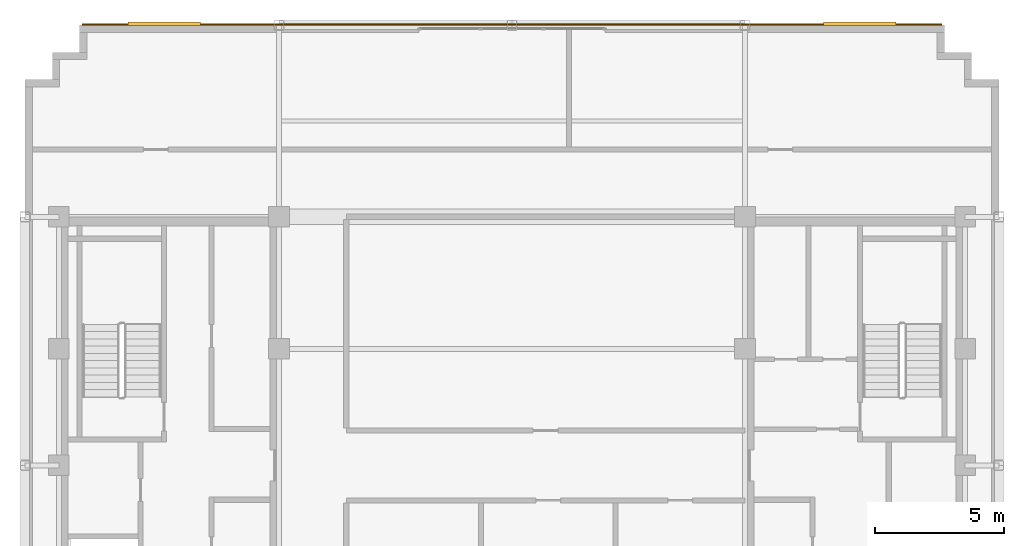
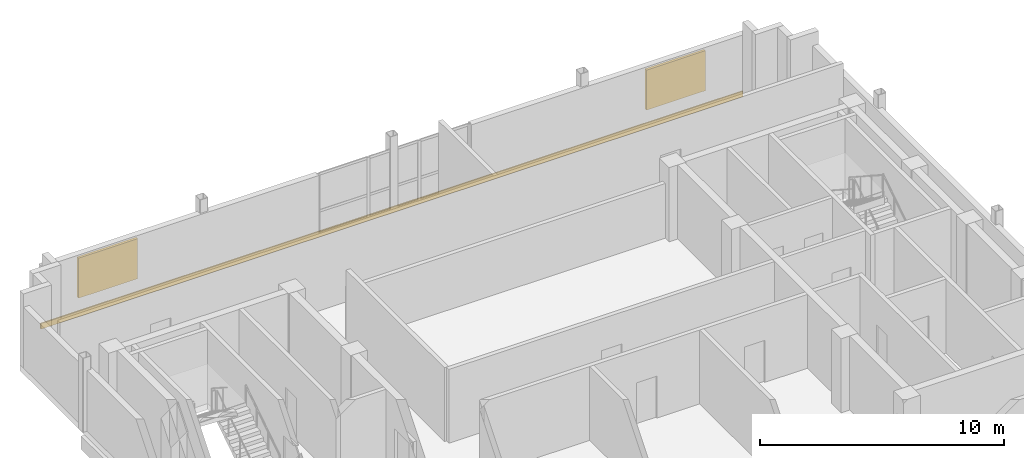
# One storey, part 10 of 10: 2 shading devices, 1 covering.
"""IFC4 building model written with IfcOpenShell, lengths in metres."""

from ifc_helpers import new_model, si_unit, direction, frame, origin, origin_2d, place, context, subcontext, project, spatial, rectangle, extrude, source, transform, mapped, material, layer, layer_set, type_object, type_shapes, element, save


model = new_model("IFC4")

# Units and contexts
model_context = context("Model", 3, precision=1e-05, world=origin(), true_north=direction((0.0, 1.0)))
body_context = subcontext(model_context, "Body", "Model", "MODEL_VIEW")
ifc_project = project(units=[si_unit("LENGTHUNIT", "METRE"), si_unit("AREAUNIT", "SQUARE_METRE"), si_unit("VOLUMEUNIT", "CUBIC_METRE"), si_unit("PLANEANGLEUNIT", "RADIAN"), si_unit("MASSUNIT", "GRAM", prefix="KILO")], contexts=[model_context])

# Site, building, storey
site_placement = place(None, origin())
site = spatial("IfcSite", under=ifc_project, at=site_placement, CompositionType="ELEMENT")
building_placement = place(site_placement, origin())
building = spatial("IfcBuilding", under=site, at=building_placement, Name="Nuvemarco Arch Tower", CompositionType="ELEMENT")
storey_placement = place(building_placement, frame((0.0, 0.0, 303.14990234375)))
storey = spatial("IfcBuildingStorey", under=building, at=storey_placement, Name="L80", CompositionType="ELEMENT", Elevation=303.14990234375)

# Shading devices
ifc_material_1 = material(Name="Anodised aluminium 6063-T6", Category="aluminium")
shading_device_type = type_object("IfcShadingDeviceType", Name="SHD-LOUVRE-PLANT", PredefinedType="JALOUSIE", material=ifc_material_1)
shared_shape_1 = source(origin(), body_context, "Body", "SweptSolid", [
    extrude(rectangle(XDim=2.800048828125, YDim=0.1201171875, at=origin_2d()), origin(), (0.0, 0.0, 1.0), 2.0),
])
type_shapes(shading_device_type, [shared_shape_1])
for number, where, z_axis, x_axis, name in (
    (1, (-13.425048828125, 17.054931640625, 0.650146484375), (0.0, 0.0, 1.0), (1.0, 0.0, 0.0), "L80 acoustic plant louvre panel 1"),
    (2, (13.425048828125, 17.054931640625, 0.650146484375), (0.0, 0.0, 1.0), (1.0, 0.0, 0.0), "L80 acoustic plant louvre panel 2"),
):
    element("IfcShadingDevice", number, at=place(storey_placement, frame(where, z_axis=z_axis, x_axis=x_axis)), inside=storey, type_object=shading_device_type, Name=name, PredefinedType="JALOUSIE", context=body_context, shape_type="MappedRepresentation", body=[
        mapped(shared_shape_1, transform((0.0, 0.0, 0.0), scale=1.0)),
    ])

# Covering
ifc_material_2 = material(Name="Precast concrete C45/55", Category="concrete")
ifc_layer = layer(ifc_material_2, 0.06005859375, Name="COV-SPANDREL-CLAD")
ifc_layer_set = layer_set([ifc_layer], Name="Precast concrete C45/55")
covering_type = type_object("IfcCoveringType", Name="COV-SPANDREL-CLAD", PredefinedType="CLADDING", material=ifc_layer_set)
shared_shape_2 = source(origin(), body_context, "Body", "SweptSolid", [
    extrude(rectangle(XDim=33.199951171875, YDim=0.06005859375, at=origin_2d()), origin(), (0.0, 0.0, 1.0), 0.280029296875),
])
type_shapes(covering_type, [shared_shape_2])
covering_placement = place(storey_placement, frame((0.0, 17.029052734375, -0.27978515625), z_axis=(0.0, 0.0, 1.0), x_axis=(1.0, 0.0, 0.0)))
element("IfcCovering", 3, at=covering_placement, inside=storey, type_object=covering_type, Name="L80 precast spandrel edge cladding north", PredefinedType="CLADDING", context=body_context, shape_type="MappedRepresentation", body=[
    mapped(shared_shape_2, transform((0.0, 0.0, 0.0), scale=1.0)),
])

save(model, "model.ifc")
